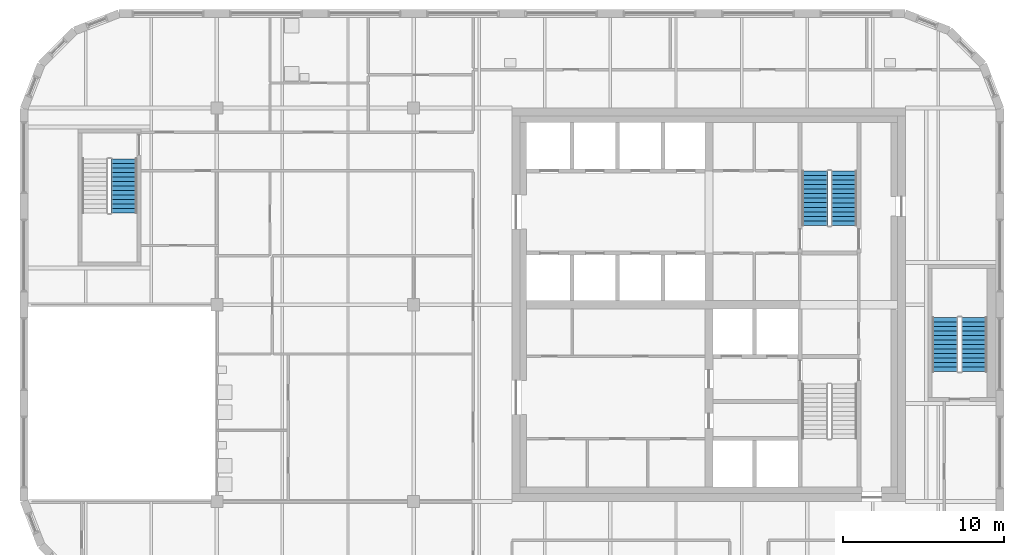
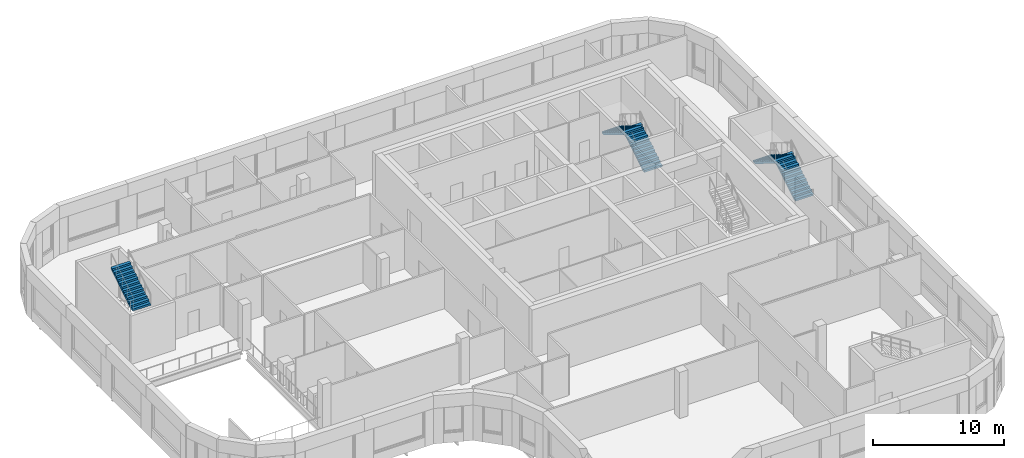
# One storey, part 18 of 21: 5 stair flights, 3 elements without a shape of their own.
"""IFC4 building model written with IfcOpenShell, lengths in metres."""

from ifc_helpers import new_model, si_unit, direction, frame, origin, place, context, subcontext, project, spatial, polyline, outline, extrude, material, type_object, element, aggregate, save


model = new_model("IFC4")

# Units and contexts
model_context = context("Model", 3, precision=1e-05, world=origin(), true_north=direction((0.0, 1.0)))
body_context = subcontext(model_context, "Body", "Model", "MODEL_VIEW")
ifc_project = project(units=[si_unit("LENGTHUNIT", "METRE"), si_unit("AREAUNIT", "SQUARE_METRE"), si_unit("VOLUMEUNIT", "CUBIC_METRE"), si_unit("PLANEANGLEUNIT", "RADIAN"), si_unit("MASSUNIT", "GRAM", prefix="KILO")], contexts=[model_context])

# Site, building, storey
site_placement = place(None, origin())
site = spatial("IfcSite", under=ifc_project, at=site_placement, CompositionType="ELEMENT")
building_placement = place(site_placement, origin())
building = spatial("IfcBuilding", under=site, at=building_placement, Name="Tessera Gate Towers", CompositionType="ELEMENT")
storey_placement = place(building_placement, frame((0.0, 0.0, 193.39990234375)))
storey = spatial("IfcBuildingStorey", under=building, at=storey_placement, Name="L48", CompositionType="ELEMENT", Elevation=193.39990234375)

# Stair, stair flights
ifc_material_1 = material(Name="Concrete C40/50", Category="concrete")
stair_type_1 = type_object("IfcStairType", Name="EXIT STAIR ST2B 1600", PredefinedType="HALF_TURN_STAIR", material=ifc_material_1)
stair_1_placement = place(storey_placement, origin())
stair_1 = element("IfcStair", 1, at=stair_1_placement, inside=storey, type_object=stair_type_1, Name="L48 Protected Exit Stair ST2", PredefinedType="HALF_TURN_STAIR")
ifc_material_2 = material(Name="Concrete C40/50", Category="concrete")
stair_flight_type_1 = type_object("IfcStairFlightType", Name="EXIT STAIR FLIGHT ST2B 1600", PredefinedType="STRAIGHT", material=ifc_material_2)
stair_flight_1_placement = place(storey_placement, frame((51.074951171875, 41.52490234375, 0.0), z_axis=(0.0, 0.0, 1.0), x_axis=(0.0, 1.0, 0.0)))
stair_flight_1 = element("IfcStairFlight", 2, at=stair_flight_1_placement, type_object=stair_flight_type_1, Name="ST2 flight 1", NumberOfRisers=13, NumberOfTreads=12, PredefinedType="STRAIGHT", RiserHeight=0.173076923, TreadLength=0.28, context=body_context, shape_type="SweptSolid", body=[
    extrude(outline(polyline([(0.0, 0.0), (0.0, 0.173095703125), (0.280029296875, 0.173095703125), (0.280029296875, 0.34619140625), (0.56005859375, 0.34619140625), (0.56005859375, 0.519287109375), (0.840087890625, 0.519287109375), (0.840087890625, 0.6923828125), (1.1201171875, 0.6923828125), (1.1201171875, 0.865478515625), (1.39990234375, 0.865478515625), (1.39990234375, 1.03857421875), (1.679931640625, 1.03857421875), (1.679931640625, 1.21142578125), (1.9599609375, 1.21142578125), (1.9599609375, 1.384521484375), (2.239990234375, 1.384521484375), (2.239990234375, 1.5576171875), (2.52001953125, 1.5576171875), (2.52001953125, 1.730712890625), (2.800048828125, 1.730712890625), (2.800048828125, 1.90380859375), (3.080078125, 1.90380859375), (3.080078125, 2.076904296875), (3.360107421875, 2.076904296875), (3.360107421875, 2.25), (3.360107421875, 1.900634765625), (0.28515625, 0.0), (0.0, 0.0)])), frame((0.0, 0.800048828125, 0.0), z_axis=(0.0, -1.0, 0.0), x_axis=(1.0, 0.0, 0.0)), (0.0, 0.0, 1.0), 1.60009765625),
])
stair_flight_2_placement = place(storey_placement, frame((49.27490234375, 44.885009765625, 2.25), z_axis=(0.0, 0.0, 1.0), x_axis=(0.0, -1.0, 0.0)))
stair_flight_2 = element("IfcStairFlight", 3, at=stair_flight_2_placement, type_object=stair_flight_type_1, Name="ST2 flight 2", NumberOfRisers=13, NumberOfTreads=12, PredefinedType="STRAIGHT", RiserHeight=0.173076923, TreadLength=0.28, context=body_context, shape_type="SweptSolid", body=[
    extrude(outline(polyline([(0.0, 0.0), (0.0, 0.173095703125), (0.280029296875, 0.173095703125), (0.280029296875, 0.34619140625), (0.56005859375, 0.34619140625), (0.56005859375, 0.519287109375), (0.840087890625, 0.519287109375), (0.840087890625, 0.6923828125), (1.1201171875, 0.6923828125), (1.1201171875, 0.865478515625), (1.39990234375, 0.865478515625), (1.39990234375, 1.03857421875), (1.679931640625, 1.03857421875), (1.679931640625, 1.21142578125), (1.9599609375, 1.21142578125), (1.9599609375, 1.384521484375), (2.239990234375, 1.384521484375), (2.239990234375, 1.5576171875), (2.52001953125, 1.5576171875), (2.52001953125, 1.730712890625), (2.800048828125, 1.730712890625), (2.800048828125, 1.90380859375), (3.080078125, 1.90380859375), (3.080078125, 2.076904296875), (3.360107421875, 2.076904296875), (3.360107421875, 2.25), (3.360107421875, 1.900634765625), (0.28515625, 0.0), (0.0, 0.0)])), frame((0.0, 0.800048828125, 0.0), z_axis=(0.0, -1.0, 0.0), x_axis=(1.0, 0.0, 0.0)), (0.0, 0.0, 1.0), 1.60009765625),
])
aggregate(stair_1, [stair_flight_1, stair_flight_2])

# Stair, stair flight
ifc_material_3 = material(Name="Concrete C40/50", Category="concrete")
stair_type_2 = type_object("IfcStairType", Name="EXIT STAIR ST3B 1600", PredefinedType="HALF_TURN_STAIR", material=ifc_material_3)
stair_2_placement = place(storey_placement, origin())
stair_2 = element("IfcStair", 4, at=stair_2_placement, inside=storey, type_object=stair_type_2, Name="L48 West Exit Stair ST3", PredefinedType="HALF_TURN_STAIR")
ifc_material_4 = material(Name="Concrete C40/50", Category="concrete")
stair_flight_type_2 = type_object("IfcStairFlightType", Name="EXIT STAIR FLIGHT ST3B 1600", PredefinedType="STRAIGHT", material=ifc_material_4)
stair_flight_3_placement = place(storey_placement, frame((6.449951171875, 42.2900390625, 2.25), z_axis=(0.0, 0.0, 1.0), x_axis=(0.0, 1.0, 0.0)))
stair_flight_3 = element("IfcStairFlight", 5, at=stair_flight_3_placement, type_object=stair_flight_type_2, Name="ST3 flight 2", NumberOfRisers=13, NumberOfTreads=12, PredefinedType="STRAIGHT", RiserHeight=0.173076923, TreadLength=0.28, context=body_context, shape_type="SweptSolid", body=[
    extrude(outline(polyline([(0.0, 0.0), (0.0, 0.173095703125), (0.280029296875, 0.173095703125), (0.280029296875, 0.34619140625), (0.56005859375, 0.34619140625), (0.56005859375, 0.519287109375), (0.840087890625, 0.519287109375), (0.840087890625, 0.6923828125), (1.1201171875, 0.6923828125), (1.1201171875, 0.865478515625), (1.39990234375, 0.865478515625), (1.39990234375, 1.03857421875), (1.679931640625, 1.03857421875), (1.679931640625, 1.21142578125), (1.9599609375, 1.21142578125), (1.9599609375, 1.384521484375), (2.239990234375, 1.384521484375), (2.239990234375, 1.5576171875), (2.52001953125, 1.5576171875), (2.52001953125, 1.730712890625), (2.800048828125, 1.730712890625), (2.800048828125, 1.90380859375), (3.080078125, 1.90380859375), (3.080078125, 2.076904296875), (3.360107421875, 2.076904296875), (3.360107421875, 2.25), (3.360107421875, 1.900634765625), (0.28515625, 0.0), (0.0, 0.0)])), frame((0.0, 0.800048828125, 0.0), z_axis=(0.0, -1.0, 0.0), x_axis=(1.0, 0.0, 0.0)), (0.0, 0.0, 1.0), 1.60009765625),
])
aggregate(stair_2, [stair_flight_3])

# Stair, stair flights
ifc_material_5 = material(Name="Concrete C40/50", Category="concrete")
stair_type_3 = type_object("IfcStairType", Name="EXIT STAIR ST5B 1600", PredefinedType="HALF_TURN_STAIR", material=ifc_material_5)
stair_3_placement = place(storey_placement, origin())
stair_3 = element("IfcStair", 6, at=stair_3_placement, inside=storey, type_object=stair_type_3, Name="L48 East Exit Stair ST5", PredefinedType="HALF_TURN_STAIR")
ifc_material_6 = material(Name="Concrete C40/50", Category="concrete")
stair_flight_type_3 = type_object("IfcStairFlightType", Name="EXIT STAIR FLIGHT ST5B 1600", PredefinedType="STRAIGHT", material=ifc_material_6)
stair_flight_4_placement = place(storey_placement, frame((59.14990234375, 32.449951171875, 0.0), z_axis=(0.0, 0.0, 1.0), x_axis=(0.0, 1.0, 0.0)))
stair_flight_4 = element("IfcStairFlight", 7, at=stair_flight_4_placement, type_object=stair_flight_type_3, Name="ST5 flight 1", NumberOfRisers=13, NumberOfTreads=12, PredefinedType="STRAIGHT", RiserHeight=0.173076923, TreadLength=0.28, context=body_context, shape_type="SweptSolid", body=[
    extrude(outline(polyline([(0.0, 0.0), (0.0, 0.173095703125), (0.280029296875, 0.173095703125), (0.280029296875, 0.34619140625), (0.56005859375, 0.34619140625), (0.56005859375, 0.519287109375), (0.840087890625, 0.519287109375), (0.840087890625, 0.6923828125), (1.1201171875, 0.6923828125), (1.1201171875, 0.865478515625), (1.39990234375, 0.865478515625), (1.39990234375, 1.03857421875), (1.679931640625, 1.03857421875), (1.679931640625, 1.21142578125), (1.9599609375, 1.21142578125), (1.9599609375, 1.384521484375), (2.239990234375, 1.384521484375), (2.239990234375, 1.5576171875), (2.52001953125, 1.5576171875), (2.52001953125, 1.730712890625), (2.800048828125, 1.730712890625), (2.800048828125, 1.90380859375), (3.080078125, 1.90380859375), (3.080078125, 2.076904296875), (3.360107421875, 2.076904296875), (3.360107421875, 2.25), (3.360107421875, 1.900634765625), (0.28515625, 0.0), (0.0, 0.0)])), frame((0.0, 0.800048828125, 0.0), z_axis=(0.0, -1.0, 0.0), x_axis=(1.0, 0.0, 0.0)), (0.0, 0.0, 1.0), 1.60009765625),
])
stair_flight_5_placement = place(storey_placement, frame((57.35009765625, 35.81005859375, 2.25), z_axis=(0.0, 0.0, 1.0), x_axis=(0.0, -1.0, 0.0)))
stair_flight_5 = element("IfcStairFlight", 8, at=stair_flight_5_placement, type_object=stair_flight_type_3, Name="ST5 flight 2", NumberOfRisers=13, NumberOfTreads=12, PredefinedType="STRAIGHT", RiserHeight=0.173076923, TreadLength=0.28, context=body_context, shape_type="SweptSolid", body=[
    extrude(outline(polyline([(0.0, 0.0), (0.0, 0.173095703125), (0.280029296875, 0.173095703125), (0.280029296875, 0.34619140625), (0.56005859375, 0.34619140625), (0.56005859375, 0.519287109375), (0.840087890625, 0.519287109375), (0.840087890625, 0.6923828125), (1.1201171875, 0.6923828125), (1.1201171875, 0.865478515625), (1.39990234375, 0.865478515625), (1.39990234375, 1.03857421875), (1.679931640625, 1.03857421875), (1.679931640625, 1.21142578125), (1.9599609375, 1.21142578125), (1.9599609375, 1.384521484375), (2.239990234375, 1.384521484375), (2.239990234375, 1.5576171875), (2.52001953125, 1.5576171875), (2.52001953125, 1.730712890625), (2.800048828125, 1.730712890625), (2.800048828125, 1.90380859375), (3.080078125, 1.90380859375), (3.080078125, 2.076904296875), (3.360107421875, 2.076904296875), (3.360107421875, 2.25), (3.360107421875, 1.900634765625), (0.28515625, 0.0), (0.0, 0.0)])), frame((0.0, 0.800048828125, 0.0), z_axis=(0.0, -1.0, 0.0), x_axis=(1.0, 0.0, 0.0)), (0.0, 0.0, 1.0), 1.60009765625),
])
aggregate(stair_3, [stair_flight_4, stair_flight_5])

save(model, "model.ifc")
